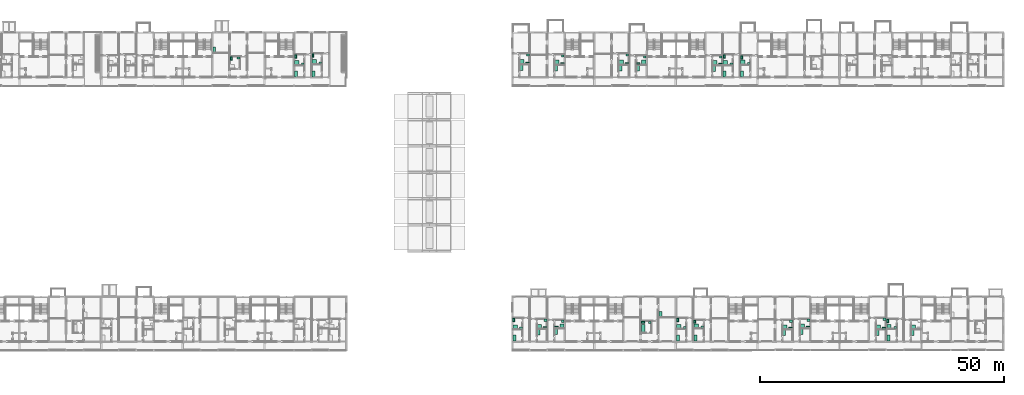
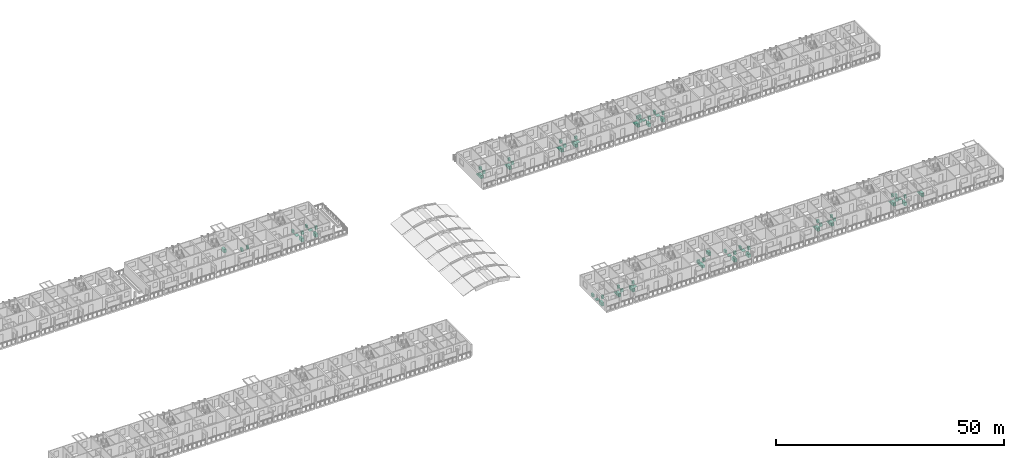
# One storey, part 92 of 93: 81 sanitary terminals.
"""IFC4 building model written with IfcOpenShell, lengths in metres."""

from ifc_helpers import new_model, si_unit, direction, frame, origin, origin_2d, place, context, subcontext, project, spatial, rectangle, extrude, element, save


model = new_model("IFC4")

# Units and contexts
model_context = context("Model", 3, precision=1e-05, world=origin(), true_north=direction((0.0, 1.0)))
body_context = subcontext(model_context, "Body", "Model", "MODEL_VIEW")
ifc_project = project(units=[si_unit("LENGTHUNIT", "METRE"), si_unit("AREAUNIT", "SQUARE_METRE"), si_unit("VOLUMEUNIT", "CUBIC_METRE"), si_unit("PLANEANGLEUNIT", "RADIAN"), si_unit("MASSUNIT", "GRAM", prefix="KILO")], contexts=[model_context])

# Site, building, storey
site_placement = place(None, origin())
site = spatial("IfcSite", under=ifc_project, at=site_placement, CompositionType="ELEMENT")
building_placement = place(site_placement, origin())
building = spatial("IfcBuilding", under=site, at=building_placement, Name="Ridgestep Commons", CompositionType="ELEMENT")
storey_placement = place(building_placement, frame((0.0, 0.0, 18.0)))
storey = spatial("IfcBuildingStorey", under=building, at=storey_placement, Name="L06", CompositionType="ELEMENT", Elevation=18.0)

# Sanitary terminals
sanitary_terminal_1_placement = place(storey_placement, frame((89.10009765625, 71.7099609375, 0.0), z_axis=(0.0, 0.0, 1.0), x_axis=(1.0, 0.0, 0.0)))
element("IfcSanitaryTerminal", 1, at=sanitary_terminal_1_placement, inside=storey, Name="WC B5-06a", PredefinedType="TOILETPAN", context=body_context, shape_type="SweptSolid", body=[
    extrude(rectangle(XDim=0.39990234375, YDim=0.699951171875, at=origin_2d()), origin(), (0.0, 0.0, 1.0), 0.800048828125),
])
sanitary_terminal_2_placement = place(storey_placement, frame((90.614990234375, 71.8349609375, 0.0), z_axis=(0.0, 0.0, 1.0), x_axis=(1.0, 0.0, 0.0)))
element("IfcSanitaryTerminal", 2, at=sanitary_terminal_2_placement, inside=storey, Name="Basin B5-06a", PredefinedType="WASHHANDBASIN", context=body_context, shape_type="SweptSolid", body=[
    extrude(rectangle(XDim=0.550048828125, YDim=0.449951171875, at=origin_2d()), origin(), (0.0, 0.0, 1.0), 0.85009765625),
])
sanitary_terminal_3_placement = place(storey_placement, frame((85.625, 73.510009765625, 0.0), z_axis=(0.0, 0.0, 1.0), x_axis=(1.0, 0.0, 0.0)))
element("IfcSanitaryTerminal", 3, at=sanitary_terminal_3_placement, inside=storey, Name="Kitchen sink B5-06a", PredefinedType="SINK", context=body_context, shape_type="SweptSolid", body=[
    extrude(rectangle(XDim=0.60009765625, YDim=1.199951171875, at=origin_2d()), origin(), (0.0, 0.0, 1.0), 0.89990234375),
])
sanitary_terminal_4_placement = place(storey_placement, frame((106.14990234375, 71.06005859375, 0.0), z_axis=(0.0, 0.0, 1.0), x_axis=(1.0, 0.0, 0.0)))
element("IfcSanitaryTerminal", 4, at=sanitary_terminal_4_placement, inside=storey, Name="Shower tray B6-06a", PredefinedType="SHOWER", context=body_context, shape_type="SweptSolid", body=[
    extrude(rectangle(XDim=0.89990234375, YDim=0.89990234375, at=origin_2d()), origin(), (0.0, 0.0, 1.0), 0.10009765625),
])
sanitary_terminal_5_placement = place(storey_placement, frame((105.89990234375, 72.35009765625, 0.0), z_axis=(0.0, 0.0, 1.0), x_axis=(1.0, 0.0, 0.0)))
element("IfcSanitaryTerminal", 5, at=sanitary_terminal_5_placement, inside=storey, Name="WC B6-06a", PredefinedType="TOILETPAN", context=body_context, shape_type="SweptSolid", body=[
    extrude(rectangle(XDim=0.39990234375, YDim=0.699951171875, at=origin_2d()), origin(), (0.0, 0.0, 1.0), 0.800048828125),
])
sanitary_terminal_6_placement = place(storey_placement, frame((107.4150390625, 70.8349609375, 0.0), z_axis=(0.0, 0.0, 1.0), x_axis=(1.0, 0.0, 0.0)))
element("IfcSanitaryTerminal", 6, at=sanitary_terminal_6_placement, inside=storey, Name="Basin B6-06a", PredefinedType="WASHHANDBASIN", context=body_context, shape_type="SweptSolid", body=[
    extrude(rectangle(XDim=0.550048828125, YDim=0.449951171875, at=origin_2d()), origin(), (0.0, 0.0, 1.0), 0.85009765625),
])
sanitary_terminal_7_placement = place(storey_placement, frame((106.0, 68.60009765625, 0.0), z_axis=(0.0, 0.0, 1.0), x_axis=(1.0, 0.0, 0.0)))
element("IfcSanitaryTerminal", 7, at=sanitary_terminal_7_placement, inside=storey, Name="Kitchen sink B6-06a", PredefinedType="SINK", context=body_context, shape_type="SweptSolid", body=[
    extrude(rectangle(XDim=0.60009765625, YDim=1.199951171875, at=origin_2d()), origin(), (0.0, 0.0, 1.0), 0.89990234375),
])
sanitary_terminal_8_placement = place(storey_placement, frame((102.574951171875, 70.860107421875, 0.0), z_axis=(0.0, 0.0, 1.0), x_axis=(1.0, 0.0, 0.0)))
element("IfcSanitaryTerminal", 8, at=sanitary_terminal_8_placement, inside=storey, Name="Shower tray B6-06b", PredefinedType="SHOWER", context=body_context, shape_type="SweptSolid", body=[
    extrude(rectangle(XDim=0.89990234375, YDim=0.89990234375, at=origin_2d()), origin(), (0.0, 0.0, 1.0), 0.10009765625),
])
sanitary_terminal_9_placement = place(storey_placement, frame((102.324951171875, 72.14990234375, 0.0), z_axis=(0.0, 0.0, 1.0), x_axis=(1.0, 0.0, 0.0)))
element("IfcSanitaryTerminal", 9, at=sanitary_terminal_9_placement, inside=storey, Name="WC B6-06b", PredefinedType="TOILETPAN", context=body_context, shape_type="SweptSolid", body=[
    extrude(rectangle(XDim=0.39990234375, YDim=0.699951171875, at=origin_2d()), origin(), (0.0, 0.0, 1.0), 0.800048828125),
])
sanitary_terminal_10_placement = place(storey_placement, frame((103.81494140625, 70.635009765625, 0.0), z_axis=(0.0, 0.0, 1.0), x_axis=(1.0, 0.0, 0.0)))
element("IfcSanitaryTerminal", 10, at=sanitary_terminal_10_placement, inside=storey, Name="Basin B6-06b", PredefinedType="WASHHANDBASIN", context=body_context, shape_type="SweptSolid", body=[
    extrude(rectangle(XDim=0.550048828125, YDim=0.449951171875, at=origin_2d()), origin(), (0.0, 0.0, 1.0), 0.85009765625),
])
sanitary_terminal_11_placement = place(storey_placement, frame((102.425048828125, 68.60009765625, 0.0), z_axis=(0.0, 0.0, 1.0), x_axis=(1.0, 0.0, 0.0)))
element("IfcSanitaryTerminal", 11, at=sanitary_terminal_11_placement, inside=storey, Name="Kitchen sink B6-06b", PredefinedType="SINK", context=body_context, shape_type="SweptSolid", body=[
    extrude(rectangle(XDim=0.60009765625, YDim=1.199951171875, at=origin_2d()), origin(), (0.0, 0.0, 1.0), 0.89990234375),
])
sanitary_terminal_12_placement = place(storey_placement, frame((148.81005859375, 71.06005859375, 0.0), z_axis=(0.0, 0.0, 1.0), x_axis=(1.0, 0.0, 0.0)))
element("IfcSanitaryTerminal", 12, at=sanitary_terminal_12_placement, inside=storey, Name="Shower tray C1-06a", PredefinedType="SHOWER", context=body_context, shape_type="SweptSolid", body=[
    extrude(rectangle(XDim=0.89990234375, YDim=0.89990234375, at=origin_2d()), origin(), (0.0, 0.0, 1.0), 0.10009765625),
])
sanitary_terminal_13_placement = place(storey_placement, frame((149.949951171875, 70.81005859375, 0.0), z_axis=(0.0, 0.0, 1.0), x_axis=(1.0, 0.0, 0.0)))
element("IfcSanitaryTerminal", 13, at=sanitary_terminal_13_placement, inside=storey, Name="WC C1-06a", PredefinedType="TOILETPAN", context=body_context, shape_type="SweptSolid", body=[
    extrude(rectangle(XDim=0.699951171875, YDim=0.39990234375, at=origin_2d()), origin(), (0.0, 0.0, 1.0), 0.800048828125),
])
sanitary_terminal_14_placement = place(storey_placement, frame((150.02490234375, 72.47509765625, 0.0), z_axis=(0.0, 0.0, 1.0), x_axis=(1.0, 0.0, 0.0)))
element("IfcSanitaryTerminal", 14, at=sanitary_terminal_14_placement, inside=storey, Name="Basin C1-06a", PredefinedType="WASHHANDBASIN", context=body_context, shape_type="SweptSolid", body=[
    extrude(rectangle(XDim=0.550048828125, YDim=0.449951171875, at=origin_2d()), origin(), (0.0, 0.0, 1.0), 0.85009765625),
])
sanitary_terminal_15_placement = place(storey_placement, frame((148.659912109375, 69.89990234375, 0.0), z_axis=(0.0, 0.0, 1.0), x_axis=(1.0, 0.0, 0.0)))
element("IfcSanitaryTerminal", 15, at=sanitary_terminal_15_placement, inside=storey, Name="Kitchen sink C1-06a", PredefinedType="SINK", context=body_context, shape_type="SweptSolid", body=[
    extrude(rectangle(XDim=0.60009765625, YDim=1.199951171875, at=origin_2d()), origin(), (0.0, 0.0, 1.0), 0.89990234375),
])
sanitary_terminal_16_placement = place(storey_placement, frame((155.9599609375, 70.9599609375, 0.0), z_axis=(0.0, 0.0, 1.0), x_axis=(1.0, 0.0, 0.0)))
element("IfcSanitaryTerminal", 16, at=sanitary_terminal_16_placement, inside=storey, Name="Shower tray C1-06b", PredefinedType="SHOWER", context=body_context, shape_type="SweptSolid", body=[
    extrude(rectangle(XDim=0.89990234375, YDim=0.89990234375, at=origin_2d()), origin(), (0.0, 0.0, 1.0), 0.10009765625),
])
sanitary_terminal_17_placement = place(storey_placement, frame((157.125, 70.7099609375, 0.0), z_axis=(0.0, 0.0, 1.0), x_axis=(1.0, 0.0, 0.0)))
element("IfcSanitaryTerminal", 17, at=sanitary_terminal_17_placement, inside=storey, Name="WC C1-06b", PredefinedType="TOILETPAN", context=body_context, shape_type="SweptSolid", body=[
    extrude(rectangle(XDim=0.699951171875, YDim=0.39990234375, at=origin_2d()), origin(), (0.0, 0.0, 1.0), 0.800048828125),
])
sanitary_terminal_18_placement = place(storey_placement, frame((157.199951171875, 72.27490234375, 0.0), z_axis=(0.0, 0.0, 1.0), x_axis=(1.0, 0.0, 0.0)))
element("IfcSanitaryTerminal", 18, at=sanitary_terminal_18_placement, inside=storey, Name="Basin C1-06b", PredefinedType="WASHHANDBASIN", context=body_context, shape_type="SweptSolid", body=[
    extrude(rectangle(XDim=0.550048828125, YDim=0.449951171875, at=origin_2d()), origin(), (0.0, 0.0, 1.0), 0.85009765625),
])
sanitary_terminal_19_placement = place(storey_placement, frame((155.81005859375, 69.800048828125, 0.0), z_axis=(0.0, 0.0, 1.0), x_axis=(1.0, 0.0, 0.0)))
element("IfcSanitaryTerminal", 19, at=sanitary_terminal_19_placement, inside=storey, Name="Kitchen sink C1-06b", PredefinedType="SINK", context=body_context, shape_type="SweptSolid", body=[
    extrude(rectangle(XDim=0.60009765625, YDim=1.199951171875, at=origin_2d()), origin(), (0.0, 0.0, 1.0), 0.89990234375),
])
sanitary_terminal_20_placement = place(storey_placement, frame((169.159912109375, 70.9599609375, 0.0), z_axis=(0.0, 0.0, 1.0), x_axis=(1.0, 0.0, 0.0)))
element("IfcSanitaryTerminal", 20, at=sanitary_terminal_20_placement, inside=storey, Name="Shower tray C2-06a", PredefinedType="SHOWER", context=body_context, shape_type="SweptSolid", body=[
    extrude(rectangle(XDim=0.89990234375, YDim=0.89990234375, at=origin_2d()), origin(), (0.0, 0.0, 1.0), 0.10009765625),
])
sanitary_terminal_21_placement = place(storey_placement, frame((170.35009765625, 70.7099609375, 0.0), z_axis=(0.0, 0.0, 1.0), x_axis=(1.0, 0.0, 0.0)))
element("IfcSanitaryTerminal", 21, at=sanitary_terminal_21_placement, inside=storey, Name="WC C2-06a", PredefinedType="TOILETPAN", context=body_context, shape_type="SweptSolid", body=[
    extrude(rectangle(XDim=0.699951171875, YDim=0.39990234375, at=origin_2d()), origin(), (0.0, 0.0, 1.0), 0.800048828125),
])
sanitary_terminal_22_placement = place(storey_placement, frame((170.425048828125, 72.47509765625, 0.0), z_axis=(0.0, 0.0, 1.0), x_axis=(1.0, 0.0, 0.0)))
element("IfcSanitaryTerminal", 22, at=sanitary_terminal_22_placement, inside=storey, Name="Basin C2-06a", PredefinedType="WASHHANDBASIN", context=body_context, shape_type="SweptSolid", body=[
    extrude(rectangle(XDim=0.550048828125, YDim=0.449951171875, at=origin_2d()), origin(), (0.0, 0.0, 1.0), 0.85009765625),
])
sanitary_terminal_23_placement = place(storey_placement, frame((169.010009765625, 69.800048828125, 0.0), z_axis=(0.0, 0.0, 1.0), x_axis=(1.0, 0.0, 0.0)))
element("IfcSanitaryTerminal", 23, at=sanitary_terminal_23_placement, inside=storey, Name="Kitchen sink C2-06a", PredefinedType="SINK", context=body_context, shape_type="SweptSolid", body=[
    extrude(rectangle(XDim=0.60009765625, YDim=1.199951171875, at=origin_2d()), origin(), (0.0, 0.0, 1.0), 0.89990234375),
])
sanitary_terminal_24_placement = place(storey_placement, frame((173.824951171875, 70.9599609375, 0.0), z_axis=(0.0, 0.0, 1.0), x_axis=(1.0, 0.0, 0.0)))
element("IfcSanitaryTerminal", 24, at=sanitary_terminal_24_placement, inside=storey, Name="Shower tray C2-06b", PredefinedType="SHOWER", context=body_context, shape_type="SweptSolid", body=[
    extrude(rectangle(XDim=0.89990234375, YDim=0.89990234375, at=origin_2d()), origin(), (0.0, 0.0, 1.0), 0.10009765625),
])
sanitary_terminal_25_placement = place(storey_placement, frame((172.659912109375, 70.7099609375, 0.0), z_axis=(0.0, 0.0, 1.0), x_axis=(1.0, 0.0, 0.0)))
element("IfcSanitaryTerminal", 25, at=sanitary_terminal_25_placement, inside=storey, Name="WC C2-06b", PredefinedType="TOILETPAN", context=body_context, shape_type="SweptSolid", body=[
    extrude(rectangle(XDim=0.699951171875, YDim=0.39990234375, at=origin_2d()), origin(), (0.0, 0.0, 1.0), 0.800048828125),
])
sanitary_terminal_26_placement = place(storey_placement, frame((174.0, 72.074951171875, 0.0), z_axis=(0.0, 0.0, 1.0), x_axis=(1.0, 0.0, 0.0)))
element("IfcSanitaryTerminal", 26, at=sanitary_terminal_26_placement, inside=storey, Name="Basin C2-06b", PredefinedType="WASHHANDBASIN", context=body_context, shape_type="SweptSolid", body=[
    extrude(rectangle(XDim=0.550048828125, YDim=0.449951171875, at=origin_2d()), origin(), (0.0, 0.0, 1.0), 0.85009765625),
])
sanitary_terminal_27_placement = place(storey_placement, frame((172.610107421875, 69.800048828125, 0.0), z_axis=(0.0, 0.0, 1.0), x_axis=(1.0, 0.0, 0.0)))
element("IfcSanitaryTerminal", 27, at=sanitary_terminal_27_placement, inside=storey, Name="Kitchen sink C2-06b", PredefinedType="SINK", context=body_context, shape_type="SweptSolid", body=[
    extrude(rectangle(XDim=0.60009765625, YDim=1.199951171875, at=origin_2d()), origin(), (0.0, 0.0, 1.0), 0.89990234375),
])
sanitary_terminal_28_placement = place(storey_placement, frame((194.14990234375, 70.9599609375, 0.0), z_axis=(0.0, 0.0, 1.0), x_axis=(1.0, 0.0, 0.0)))
element("IfcSanitaryTerminal", 28, at=sanitary_terminal_28_placement, inside=storey, Name="Shower tray C3-06a", PredefinedType="SHOWER", context=body_context, shape_type="SweptSolid", body=[
    extrude(rectangle(XDim=0.89990234375, YDim=0.89990234375, at=origin_2d()), origin(), (0.0, 0.0, 1.0), 0.10009765625),
])
sanitary_terminal_29_placement = place(storey_placement, frame((193.89990234375, 71.949951171875, 0.0), z_axis=(0.0, 0.0, 1.0), x_axis=(1.0, 0.0, 0.0)))
element("IfcSanitaryTerminal", 29, at=sanitary_terminal_29_placement, inside=storey, Name="WC C3-06a", PredefinedType="TOILETPAN", context=body_context, shape_type="SweptSolid", body=[
    extrude(rectangle(XDim=0.39990234375, YDim=0.699951171875, at=origin_2d()), origin(), (0.0, 0.0, 1.0), 0.800048828125),
])
sanitary_terminal_30_placement = place(storey_placement, frame((195.364990234375, 70.735107421875, 0.0), z_axis=(0.0, 0.0, 1.0), x_axis=(1.0, 0.0, 0.0)))
element("IfcSanitaryTerminal", 30, at=sanitary_terminal_30_placement, inside=storey, Name="Basin C3-06a", PredefinedType="WASHHANDBASIN", context=body_context, shape_type="SweptSolid", body=[
    extrude(rectangle(XDim=0.550048828125, YDim=0.449951171875, at=origin_2d()), origin(), (0.0, 0.0, 1.0), 0.85009765625),
])
sanitary_terminal_31_placement = place(storey_placement, frame((194.0, 68.60009765625, 0.0), z_axis=(0.0, 0.0, 1.0), x_axis=(1.0, 0.0, 0.0)))
element("IfcSanitaryTerminal", 31, at=sanitary_terminal_31_placement, inside=storey, Name="Kitchen sink C3-06a", PredefinedType="SINK", context=body_context, shape_type="SweptSolid", body=[
    extrude(rectangle(XDim=0.60009765625, YDim=1.199951171875, at=origin_2d()), origin(), (0.0, 0.0, 1.0), 0.89990234375),
])
sanitary_terminal_32_placement = place(storey_placement, frame((190.550048828125, 70.860107421875, 0.0), z_axis=(0.0, 0.0, 1.0), x_axis=(1.0, 0.0, 0.0)))
element("IfcSanitaryTerminal", 32, at=sanitary_terminal_32_placement, inside=storey, Name="Shower tray C3-06b", PredefinedType="SHOWER", context=body_context, shape_type="SweptSolid", body=[
    extrude(rectangle(XDim=0.89990234375, YDim=0.89990234375, at=origin_2d()), origin(), (0.0, 0.0, 1.0), 0.10009765625),
])
sanitary_terminal_33_placement = place(storey_placement, frame((190.300048828125, 72.14990234375, 0.0), z_axis=(0.0, 0.0, 1.0), x_axis=(1.0, 0.0, 0.0)))
element("IfcSanitaryTerminal", 33, at=sanitary_terminal_33_placement, inside=storey, Name="WC C3-06b", PredefinedType="TOILETPAN", context=body_context, shape_type="SweptSolid", body=[
    extrude(rectangle(XDim=0.39990234375, YDim=0.699951171875, at=origin_2d()), origin(), (0.0, 0.0, 1.0), 0.800048828125),
])
sanitary_terminal_34_placement = place(storey_placement, frame((191.81494140625, 70.635009765625, 0.0), z_axis=(0.0, 0.0, 1.0), x_axis=(1.0, 0.0, 0.0)))
element("IfcSanitaryTerminal", 34, at=sanitary_terminal_34_placement, inside=storey, Name="Basin C3-06b", PredefinedType="WASHHANDBASIN", context=body_context, shape_type="SweptSolid", body=[
    extrude(rectangle(XDim=0.550048828125, YDim=0.449951171875, at=origin_2d()), origin(), (0.0, 0.0, 1.0), 0.85009765625),
])
sanitary_terminal_35_placement = place(storey_placement, frame((190.39990234375, 68.60009765625, 0.0), z_axis=(0.0, 0.0, 1.0), x_axis=(1.0, 0.0, 0.0)))
element("IfcSanitaryTerminal", 35, at=sanitary_terminal_35_placement, inside=storey, Name="Kitchen sink C3-06b", PredefinedType="SINK", context=body_context, shape_type="SweptSolid", body=[
    extrude(rectangle(XDim=0.60009765625, YDim=1.199951171875, at=origin_2d()), origin(), (0.0, 0.0, 1.0), 0.89990234375),
])
sanitary_terminal_36_placement = place(storey_placement, frame((188.385009765625, 70.860107421875, 0.0), z_axis=(0.0, 0.0, 1.0), x_axis=(1.0, 0.0, 0.0)))
element("IfcSanitaryTerminal", 36, at=sanitary_terminal_36_placement, inside=storey, Name="Shower tray C3-06c", PredefinedType="SHOWER", context=body_context, shape_type="SweptSolid", body=[
    extrude(rectangle(XDim=0.89990234375, YDim=0.89990234375, at=origin_2d()), origin(), (0.0, 0.0, 1.0), 0.10009765625),
])
sanitary_terminal_37_placement = place(storey_placement, frame((189.550048828125, 70.610107421875, 0.0), z_axis=(0.0, 0.0, 1.0), x_axis=(1.0, 0.0, 0.0)))
element("IfcSanitaryTerminal", 37, at=sanitary_terminal_37_placement, inside=storey, Name="WC C3-06c", PredefinedType="TOILETPAN", context=body_context, shape_type="SweptSolid", body=[
    extrude(rectangle(XDim=0.699951171875, YDim=0.39990234375, at=origin_2d()), origin(), (0.0, 0.0, 1.0), 0.800048828125),
])
sanitary_terminal_38_placement = place(storey_placement, frame((189.625, 72.074951171875, 0.0), z_axis=(0.0, 0.0, 1.0), x_axis=(1.0, 0.0, 0.0)))
element("IfcSanitaryTerminal", 38, at=sanitary_terminal_38_placement, inside=storey, Name="Basin C3-06c", PredefinedType="WASHHANDBASIN", context=body_context, shape_type="SweptSolid", body=[
    extrude(rectangle(XDim=0.550048828125, YDim=0.449951171875, at=origin_2d()), origin(), (0.0, 0.0, 1.0), 0.85009765625),
])
sanitary_terminal_39_placement = place(storey_placement, frame((188.235107421875, 69.699951171875, 0.0), z_axis=(0.0, 0.0, 1.0), x_axis=(1.0, 0.0, 0.0)))
element("IfcSanitaryTerminal", 39, at=sanitary_terminal_39_placement, inside=storey, Name="Kitchen sink C3-06c", PredefinedType="SINK", context=body_context, shape_type="SweptSolid", body=[
    extrude(rectangle(XDim=0.60009765625, YDim=1.199951171875, at=origin_2d()), origin(), (0.0, 0.0, 1.0), 0.89990234375),
])
sanitary_terminal_40_placement = place(storey_placement, frame((147.39990234375, 16.610107421875, 0.0), z_axis=(0.0, 0.0, 1.0), x_axis=(1.0, 0.0, 0.0)))
element("IfcSanitaryTerminal", 40, at=sanitary_terminal_40_placement, inside=storey, Name="Shower tray D1-06a", PredefinedType="SHOWER", context=body_context, shape_type="SweptSolid", body=[
    extrude(rectangle(XDim=0.89990234375, YDim=0.89990234375, at=origin_2d()), origin(), (0.0, 0.0, 1.0), 0.10009765625),
])
sanitary_terminal_41_placement = place(storey_placement, frame((147.14990234375, 18.10009765625, 0.0), z_axis=(0.0, 0.0, 1.0), x_axis=(1.0, 0.0, 0.0)))
element("IfcSanitaryTerminal", 41, at=sanitary_terminal_41_placement, inside=storey, Name="WC D1-06a", PredefinedType="TOILETPAN", context=body_context, shape_type="SweptSolid", body=[
    extrude(rectangle(XDim=0.39990234375, YDim=0.699951171875, at=origin_2d()), origin(), (0.0, 0.0, 1.0), 0.800048828125),
])
sanitary_terminal_42_placement = place(storey_placement, frame((148.614990234375, 16.385009765625, 0.0), z_axis=(0.0, 0.0, 1.0), x_axis=(1.0, 0.0, 0.0)))
element("IfcSanitaryTerminal", 42, at=sanitary_terminal_42_placement, inside=storey, Name="Basin D1-06a", PredefinedType="WASHHANDBASIN", context=body_context, shape_type="SweptSolid", body=[
    extrude(rectangle(XDim=0.550048828125, YDim=0.449951171875, at=origin_2d()), origin(), (0.0, 0.0, 1.0), 0.85009765625),
])
sanitary_terminal_43_placement = place(storey_placement, frame((147.25, 14.35009765625, 0.0), z_axis=(0.0, 0.0, 1.0), x_axis=(1.0, 0.0, 0.0)))
element("IfcSanitaryTerminal", 43, at=sanitary_terminal_43_placement, inside=storey, Name="Kitchen sink D1-06a", PredefinedType="SINK", context=body_context, shape_type="SweptSolid", body=[
    extrude(rectangle(XDim=0.60009765625, YDim=1.199951171875, at=origin_2d()), origin(), (0.0, 0.0, 1.0), 0.89990234375),
])
sanitary_terminal_44_placement = place(storey_placement, frame((152.360107421875, 16.7099609375, 0.0), z_axis=(0.0, 0.0, 1.0), x_axis=(1.0, 0.0, 0.0)))
element("IfcSanitaryTerminal", 44, at=sanitary_terminal_44_placement, inside=storey, Name="Shower tray D1-06b", PredefinedType="SHOWER", context=body_context, shape_type="SweptSolid", body=[
    extrude(rectangle(XDim=0.89990234375, YDim=0.89990234375, at=origin_2d()), origin(), (0.0, 0.0, 1.0), 0.10009765625),
])
sanitary_terminal_45_placement = place(storey_placement, frame((153.550048828125, 16.4599609375, 0.0), z_axis=(0.0, 0.0, 1.0), x_axis=(1.0, 0.0, 0.0)))
element("IfcSanitaryTerminal", 45, at=sanitary_terminal_45_placement, inside=storey, Name="WC D1-06b", PredefinedType="TOILETPAN", context=body_context, shape_type="SweptSolid", body=[
    extrude(rectangle(XDim=0.699951171875, YDim=0.39990234375, at=origin_2d()), origin(), (0.0, 0.0, 1.0), 0.800048828125),
])
sanitary_terminal_46_placement = place(storey_placement, frame((153.625, 18.02490234375, 0.0), z_axis=(0.0, 0.0, 1.0), x_axis=(1.0, 0.0, 0.0)))
element("IfcSanitaryTerminal", 46, at=sanitary_terminal_46_placement, inside=storey, Name="Basin D1-06b", PredefinedType="WASHHANDBASIN", context=body_context, shape_type="SweptSolid", body=[
    extrude(rectangle(XDim=0.550048828125, YDim=0.449951171875, at=origin_2d()), origin(), (0.0, 0.0, 1.0), 0.85009765625),
])
sanitary_terminal_47_placement = place(storey_placement, frame((152.2099609375, 15.550048828125, 0.0), z_axis=(0.0, 0.0, 1.0), x_axis=(1.0, 0.0, 0.0)))
element("IfcSanitaryTerminal", 47, at=sanitary_terminal_47_placement, inside=storey, Name="Kitchen sink D1-06b", PredefinedType="SINK", context=body_context, shape_type="SweptSolid", body=[
    extrude(rectangle(XDim=0.60009765625, YDim=1.199951171875, at=origin_2d()), origin(), (0.0, 0.0, 1.0), 0.89990234375),
])
sanitary_terminal_48_placement = place(storey_placement, frame((157.02490234375, 16.81005859375, 0.0), z_axis=(0.0, 0.0, 1.0), x_axis=(1.0, 0.0, 0.0)))
element("IfcSanitaryTerminal", 48, at=sanitary_terminal_48_placement, inside=storey, Name="Shower tray D1-06c", PredefinedType="SHOWER", context=body_context, shape_type="SweptSolid", body=[
    extrude(rectangle(XDim=0.89990234375, YDim=0.89990234375, at=origin_2d()), origin(), (0.0, 0.0, 1.0), 0.10009765625),
])
sanitary_terminal_49_placement = place(storey_placement, frame((155.860107421875, 16.56005859375, 0.0), z_axis=(0.0, 0.0, 1.0), x_axis=(1.0, 0.0, 0.0)))
element("IfcSanitaryTerminal", 49, at=sanitary_terminal_49_placement, inside=storey, Name="WC D1-06c", PredefinedType="TOILETPAN", context=body_context, shape_type="SweptSolid", body=[
    extrude(rectangle(XDim=0.699951171875, YDim=0.39990234375, at=origin_2d()), origin(), (0.0, 0.0, 1.0), 0.800048828125),
])
sanitary_terminal_50_placement = place(storey_placement, frame((157.199951171875, 17.824951171875, 0.0), z_axis=(0.0, 0.0, 1.0), x_axis=(1.0, 0.0, 0.0)))
element("IfcSanitaryTerminal", 50, at=sanitary_terminal_50_placement, inside=storey, Name="Basin D1-06c", PredefinedType="WASHHANDBASIN", context=body_context, shape_type="SweptSolid", body=[
    extrude(rectangle(XDim=0.550048828125, YDim=0.449951171875, at=origin_2d()), origin(), (0.0, 0.0, 1.0), 0.85009765625),
])
sanitary_terminal_51_placement = place(storey_placement, frame((155.81005859375, 15.64990234375, 0.0), z_axis=(0.0, 0.0, 1.0), x_axis=(1.0, 0.0, 0.0)))
element("IfcSanitaryTerminal", 51, at=sanitary_terminal_51_placement, inside=storey, Name="Kitchen sink D1-06c", PredefinedType="SINK", context=body_context, shape_type="SweptSolid", body=[
    extrude(rectangle(XDim=0.60009765625, YDim=1.199951171875, at=origin_2d()), origin(), (0.0, 0.0, 1.0), 0.89990234375),
])
sanitary_terminal_52_placement = place(storey_placement, frame((173.675048828125, 16.260009765625, 0.0), z_axis=(0.0, 0.0, 1.0), x_axis=(1.0, 0.0, 0.0)))
element("IfcSanitaryTerminal", 52, at=sanitary_terminal_52_placement, inside=storey, Name="Bath D2-06a", PredefinedType="BATH", context=body_context, shape_type="SweptSolid", body=[
    extrude(rectangle(XDim=0.75, YDim=1.699951171875, at=origin_2d()), origin(), (0.0, 0.0, 1.0), 0.550048828125),
])
sanitary_terminal_53_placement = place(storey_placement, frame((173.64990234375, 17.610107421875, 0.0), z_axis=(0.0, 0.0, 1.0), x_axis=(1.0, 0.0, 0.0)))
element("IfcSanitaryTerminal", 53, at=sanitary_terminal_53_placement, inside=storey, Name="WC D2-06a", PredefinedType="TOILETPAN", context=body_context, shape_type="SweptSolid", body=[
    extrude(rectangle(XDim=0.699951171875, YDim=0.39990234375, at=origin_2d()), origin(), (0.0, 0.0, 1.0), 0.800048828125),
])
sanitary_terminal_54_placement = place(storey_placement, frame((175.014892578125, 17.5849609375, 0.0), z_axis=(0.0, 0.0, 1.0), x_axis=(1.0, 0.0, 0.0)))
element("IfcSanitaryTerminal", 54, at=sanitary_terminal_54_placement, inside=storey, Name="Basin D2-06a", PredefinedType="WASHHANDBASIN", context=body_context, shape_type="SweptSolid", body=[
    extrude(rectangle(XDim=0.550048828125, YDim=0.449951171875, at=origin_2d()), origin(), (0.0, 0.0, 1.0), 0.85009765625),
])
sanitary_terminal_55_placement = place(storey_placement, frame((177.199951171875, 19.260009765625, 0.0), z_axis=(0.0, 0.0, 1.0), x_axis=(1.0, 0.0, 0.0)))
element("IfcSanitaryTerminal", 55, at=sanitary_terminal_55_placement, inside=storey, Name="Kitchen sink D2-06a", PredefinedType="SINK", context=body_context, shape_type="SweptSolid", body=[
    extrude(rectangle(XDim=0.60009765625, YDim=1.199951171875, at=origin_2d()), origin(), (0.0, 0.0, 1.0), 0.89990234375),
])
sanitary_terminal_56_placement = place(storey_placement, frame((181.0, 16.7099609375, 0.0), z_axis=(0.0, 0.0, 1.0), x_axis=(1.0, 0.0, 0.0)))
element("IfcSanitaryTerminal", 56, at=sanitary_terminal_56_placement, inside=storey, Name="Shower tray D3-06a", PredefinedType="SHOWER", context=body_context, shape_type="SweptSolid", body=[
    extrude(rectangle(XDim=0.89990234375, YDim=0.89990234375, at=origin_2d()), origin(), (0.0, 0.0, 1.0), 0.10009765625),
])
sanitary_terminal_57_placement = place(storey_placement, frame((180.75, 18.10009765625, 0.0), z_axis=(0.0, 0.0, 1.0), x_axis=(1.0, 0.0, 0.0)))
element("IfcSanitaryTerminal", 57, at=sanitary_terminal_57_placement, inside=storey, Name="WC D3-06a", PredefinedType="TOILETPAN", context=body_context, shape_type="SweptSolid", body=[
    extrude(rectangle(XDim=0.39990234375, YDim=0.699951171875, at=origin_2d()), origin(), (0.0, 0.0, 1.0), 0.800048828125),
])
sanitary_terminal_58_placement = place(storey_placement, frame((182.215087890625, 16.485107421875, 0.0), z_axis=(0.0, 0.0, 1.0), x_axis=(1.0, 0.0, 0.0)))
element("IfcSanitaryTerminal", 58, at=sanitary_terminal_58_placement, inside=storey, Name="Basin D3-06a", PredefinedType="WASHHANDBASIN", context=body_context, shape_type="SweptSolid", body=[
    extrude(rectangle(XDim=0.550048828125, YDim=0.449951171875, at=origin_2d()), origin(), (0.0, 0.0, 1.0), 0.85009765625),
])
sanitary_terminal_59_placement = place(storey_placement, frame((180.85009765625, 14.35009765625, 0.0), z_axis=(0.0, 0.0, 1.0), x_axis=(1.0, 0.0, 0.0)))
element("IfcSanitaryTerminal", 59, at=sanitary_terminal_59_placement, inside=storey, Name="Kitchen sink D3-06a", PredefinedType="SINK", context=body_context, shape_type="SweptSolid", body=[
    extrude(rectangle(XDim=0.60009765625, YDim=1.199951171875, at=origin_2d()), origin(), (0.0, 0.0, 1.0), 0.89990234375),
])
sanitary_terminal_60_placement = place(storey_placement, frame((184.550048828125, 16.81005859375, 0.0), z_axis=(0.0, 0.0, 1.0), x_axis=(1.0, 0.0, 0.0)))
element("IfcSanitaryTerminal", 60, at=sanitary_terminal_60_placement, inside=storey, Name="Shower tray D3-06b", PredefinedType="SHOWER", context=body_context, shape_type="SweptSolid", body=[
    extrude(rectangle(XDim=0.89990234375, YDim=0.89990234375, at=origin_2d()), origin(), (0.0, 0.0, 1.0), 0.10009765625),
])
sanitary_terminal_61_placement = place(storey_placement, frame((184.300048828125, 17.699951171875, 0.0), z_axis=(0.0, 0.0, 1.0), x_axis=(1.0, 0.0, 0.0)))
element("IfcSanitaryTerminal", 61, at=sanitary_terminal_61_placement, inside=storey, Name="WC D3-06b", PredefinedType="TOILETPAN", context=body_context, shape_type="SweptSolid", body=[
    extrude(rectangle(XDim=0.39990234375, YDim=0.699951171875, at=origin_2d()), origin(), (0.0, 0.0, 1.0), 0.800048828125),
])
sanitary_terminal_62_placement = place(storey_placement, frame((185.81494140625, 16.5849609375, 0.0), z_axis=(0.0, 0.0, 1.0), x_axis=(1.0, 0.0, 0.0)))
element("IfcSanitaryTerminal", 62, at=sanitary_terminal_62_placement, inside=storey, Name="Basin D3-06b", PredefinedType="WASHHANDBASIN", context=body_context, shape_type="SweptSolid", body=[
    extrude(rectangle(XDim=0.550048828125, YDim=0.449951171875, at=origin_2d()), origin(), (0.0, 0.0, 1.0), 0.85009765625),
])
sanitary_terminal_63_placement = place(storey_placement, frame((184.39990234375, 14.35009765625, 0.0), z_axis=(0.0, 0.0, 1.0), x_axis=(1.0, 0.0, 0.0)))
element("IfcSanitaryTerminal", 63, at=sanitary_terminal_63_placement, inside=storey, Name="Kitchen sink D3-06b", PredefinedType="SINK", context=body_context, shape_type="SweptSolid", body=[
    extrude(rectangle(XDim=0.60009765625, YDim=1.199951171875, at=origin_2d()), origin(), (0.0, 0.0, 1.0), 0.89990234375),
])
sanitary_terminal_64_placement = place(storey_placement, frame((202.760009765625, 16.610107421875, 0.0), z_axis=(0.0, 0.0, 1.0), x_axis=(1.0, 0.0, 0.0)))
element("IfcSanitaryTerminal", 64, at=sanitary_terminal_64_placement, inside=storey, Name="Shower tray D4-06a", PredefinedType="SHOWER", context=body_context, shape_type="SweptSolid", body=[
    extrude(rectangle(XDim=0.89990234375, YDim=0.89990234375, at=origin_2d()), origin(), (0.0, 0.0, 1.0), 0.10009765625),
])
sanitary_terminal_65_placement = place(storey_placement, frame((203.949951171875, 16.360107421875, 0.0), z_axis=(0.0, 0.0, 1.0), x_axis=(1.0, 0.0, 0.0)))
element("IfcSanitaryTerminal", 65, at=sanitary_terminal_65_placement, inside=storey, Name="WC D4-06a", PredefinedType="TOILETPAN", context=body_context, shape_type="SweptSolid", body=[
    extrude(rectangle(XDim=0.699951171875, YDim=0.39990234375, at=origin_2d()), origin(), (0.0, 0.0, 1.0), 0.800048828125),
])
sanitary_terminal_66_placement = place(storey_placement, frame((204.02490234375, 17.824951171875, 0.0), z_axis=(0.0, 0.0, 1.0), x_axis=(1.0, 0.0, 0.0)))
element("IfcSanitaryTerminal", 66, at=sanitary_terminal_66_placement, inside=storey, Name="Basin D4-06a", PredefinedType="WASHHANDBASIN", context=body_context, shape_type="SweptSolid", body=[
    extrude(rectangle(XDim=0.550048828125, YDim=0.449951171875, at=origin_2d()), origin(), (0.0, 0.0, 1.0), 0.85009765625),
])
sanitary_terminal_67_placement = place(storey_placement, frame((202.610107421875, 15.449951171875, 0.0), z_axis=(0.0, 0.0, 1.0), x_axis=(1.0, 0.0, 0.0)))
element("IfcSanitaryTerminal", 67, at=sanitary_terminal_67_placement, inside=storey, Name="Kitchen sink D4-06a", PredefinedType="SINK", context=body_context, shape_type="SweptSolid", body=[
    extrude(rectangle(XDim=0.60009765625, YDim=1.199951171875, at=origin_2d()), origin(), (0.0, 0.0, 1.0), 0.89990234375),
])
sanitary_terminal_68_placement = place(storey_placement, frame((206.360107421875, 16.81005859375, 0.0), z_axis=(0.0, 0.0, 1.0), x_axis=(1.0, 0.0, 0.0)))
element("IfcSanitaryTerminal", 68, at=sanitary_terminal_68_placement, inside=storey, Name="Shower tray D4-06b", PredefinedType="SHOWER", context=body_context, shape_type="SweptSolid", body=[
    extrude(rectangle(XDim=0.89990234375, YDim=0.89990234375, at=origin_2d()), origin(), (0.0, 0.0, 1.0), 0.10009765625),
])
sanitary_terminal_69_placement = place(storey_placement, frame((207.52490234375, 16.56005859375, 0.0), z_axis=(0.0, 0.0, 1.0), x_axis=(1.0, 0.0, 0.0)))
element("IfcSanitaryTerminal", 69, at=sanitary_terminal_69_placement, inside=storey, Name="WC D4-06b", PredefinedType="TOILETPAN", context=body_context, shape_type="SweptSolid", body=[
    extrude(rectangle(XDim=0.699951171875, YDim=0.39990234375, at=origin_2d()), origin(), (0.0, 0.0, 1.0), 0.800048828125),
])
sanitary_terminal_70_placement = place(storey_placement, frame((207.60009765625, 18.02490234375, 0.0), z_axis=(0.0, 0.0, 1.0), x_axis=(1.0, 0.0, 0.0)))
element("IfcSanitaryTerminal", 70, at=sanitary_terminal_70_placement, inside=storey, Name="Basin D4-06b", PredefinedType="WASHHANDBASIN", context=body_context, shape_type="SweptSolid", body=[
    extrude(rectangle(XDim=0.550048828125, YDim=0.449951171875, at=origin_2d()), origin(), (0.0, 0.0, 1.0), 0.85009765625),
])
sanitary_terminal_71_placement = place(storey_placement, frame((206.2099609375, 15.64990234375, 0.0), z_axis=(0.0, 0.0, 1.0), x_axis=(1.0, 0.0, 0.0)))
element("IfcSanitaryTerminal", 71, at=sanitary_terminal_71_placement, inside=storey, Name="Kitchen sink D4-06b", PredefinedType="SINK", context=body_context, shape_type="SweptSolid", body=[
    extrude(rectangle(XDim=0.60009765625, YDim=1.199951171875, at=origin_2d()), origin(), (0.0, 0.0, 1.0), 0.89990234375),
])
sanitary_terminal_72_placement = place(storey_placement, frame((229.159912109375, 16.610107421875, 0.0), z_axis=(0.0, 0.0, 1.0), x_axis=(1.0, 0.0, 0.0)))
element("IfcSanitaryTerminal", 72, at=sanitary_terminal_72_placement, inside=storey, Name="Shower tray D5-06a", PredefinedType="SHOWER", context=body_context, shape_type="SweptSolid", body=[
    extrude(rectangle(XDim=0.89990234375, YDim=0.89990234375, at=origin_2d()), origin(), (0.0, 0.0, 1.0), 0.10009765625),
])
sanitary_terminal_73_placement = place(storey_placement, frame((229.010009765625, 15.449951171875, 0.0), z_axis=(0.0, 0.0, 1.0), x_axis=(1.0, 0.0, 0.0)))
element("IfcSanitaryTerminal", 73, at=sanitary_terminal_73_placement, inside=storey, Name="Kitchen sink D5-06a", PredefinedType="SINK", context=body_context, shape_type="SweptSolid", body=[
    extrude(rectangle(XDim=0.60009765625, YDim=1.199951171875, at=origin_2d()), origin(), (0.0, 0.0, 1.0), 0.89990234375),
])
sanitary_terminal_74_placement = place(storey_placement, frame((224.14990234375, 16.7099609375, 0.0), z_axis=(0.0, 0.0, 1.0), x_axis=(1.0, 0.0, 0.0)))
element("IfcSanitaryTerminal", 74, at=sanitary_terminal_74_placement, inside=storey, Name="Shower tray D5-06b", PredefinedType="SHOWER", context=body_context, shape_type="SweptSolid", body=[
    extrude(rectangle(XDim=0.89990234375, YDim=0.89990234375, at=origin_2d()), origin(), (0.0, 0.0, 1.0), 0.10009765625),
])
sanitary_terminal_75_placement = place(storey_placement, frame((223.89990234375, 17.89990234375, 0.0), z_axis=(0.0, 0.0, 1.0), x_axis=(1.0, 0.0, 0.0)))
element("IfcSanitaryTerminal", 75, at=sanitary_terminal_75_placement, inside=storey, Name="WC D5-06b", PredefinedType="TOILETPAN", context=body_context, shape_type="SweptSolid", body=[
    extrude(rectangle(XDim=0.39990234375, YDim=0.699951171875, at=origin_2d()), origin(), (0.0, 0.0, 1.0), 0.800048828125),
])
sanitary_terminal_76_placement = place(storey_placement, frame((225.4150390625, 16.485107421875, 0.0), z_axis=(0.0, 0.0, 1.0), x_axis=(1.0, 0.0, 0.0)))
element("IfcSanitaryTerminal", 76, at=sanitary_terminal_76_placement, inside=storey, Name="Basin D5-06b", PredefinedType="WASHHANDBASIN", context=body_context, shape_type="SweptSolid", body=[
    extrude(rectangle(XDim=0.550048828125, YDim=0.449951171875, at=origin_2d()), origin(), (0.0, 0.0, 1.0), 0.85009765625),
])
sanitary_terminal_77_placement = place(storey_placement, frame((224.0, 14.35009765625, 0.0), z_axis=(0.0, 0.0, 1.0), x_axis=(1.0, 0.0, 0.0)))
element("IfcSanitaryTerminal", 77, at=sanitary_terminal_77_placement, inside=storey, Name="Kitchen sink D5-06b", PredefinedType="SINK", context=body_context, shape_type="SweptSolid", body=[
    extrude(rectangle(XDim=0.60009765625, YDim=1.199951171875, at=origin_2d()), origin(), (0.0, 0.0, 1.0), 0.89990234375),
])
sanitary_terminal_78_placement = place(storey_placement, frame((221.985107421875, 16.610107421875, 0.0), z_axis=(0.0, 0.0, 1.0), x_axis=(1.0, 0.0, 0.0)))
element("IfcSanitaryTerminal", 78, at=sanitary_terminal_78_placement, inside=storey, Name="Shower tray D5-06c", PredefinedType="SHOWER", context=body_context, shape_type="SweptSolid", body=[
    extrude(rectangle(XDim=0.89990234375, YDim=0.89990234375, at=origin_2d()), origin(), (0.0, 0.0, 1.0), 0.10009765625),
])
sanitary_terminal_79_placement = place(storey_placement, frame((223.14990234375, 16.360107421875, 0.0), z_axis=(0.0, 0.0, 1.0), x_axis=(1.0, 0.0, 0.0)))
element("IfcSanitaryTerminal", 79, at=sanitary_terminal_79_placement, inside=storey, Name="WC D5-06c", PredefinedType="TOILETPAN", context=body_context, shape_type="SweptSolid", body=[
    extrude(rectangle(XDim=0.699951171875, YDim=0.39990234375, at=origin_2d()), origin(), (0.0, 0.0, 1.0), 0.800048828125),
])
sanitary_terminal_80_placement = place(storey_placement, frame((223.22509765625, 18.22509765625, 0.0), z_axis=(0.0, 0.0, 1.0), x_axis=(1.0, 0.0, 0.0)))
element("IfcSanitaryTerminal", 80, at=sanitary_terminal_80_placement, inside=storey, Name="Basin D5-06c", PredefinedType="WASHHANDBASIN", context=body_context, shape_type="SweptSolid", body=[
    extrude(rectangle(XDim=0.550048828125, YDim=0.449951171875, at=origin_2d()), origin(), (0.0, 0.0, 1.0), 0.85009765625),
])
sanitary_terminal_81_placement = place(storey_placement, frame((221.8349609375, 15.449951171875, 0.0), z_axis=(0.0, 0.0, 1.0), x_axis=(1.0, 0.0, 0.0)))
element("IfcSanitaryTerminal", 81, at=sanitary_terminal_81_placement, inside=storey, Name="Kitchen sink D5-06c", PredefinedType="SINK", context=body_context, shape_type="SweptSolid", body=[
    extrude(rectangle(XDim=0.60009765625, YDim=1.199951171875, at=origin_2d()), origin(), (0.0, 0.0, 1.0), 0.89990234375),
])

save(model, "model.ifc")
